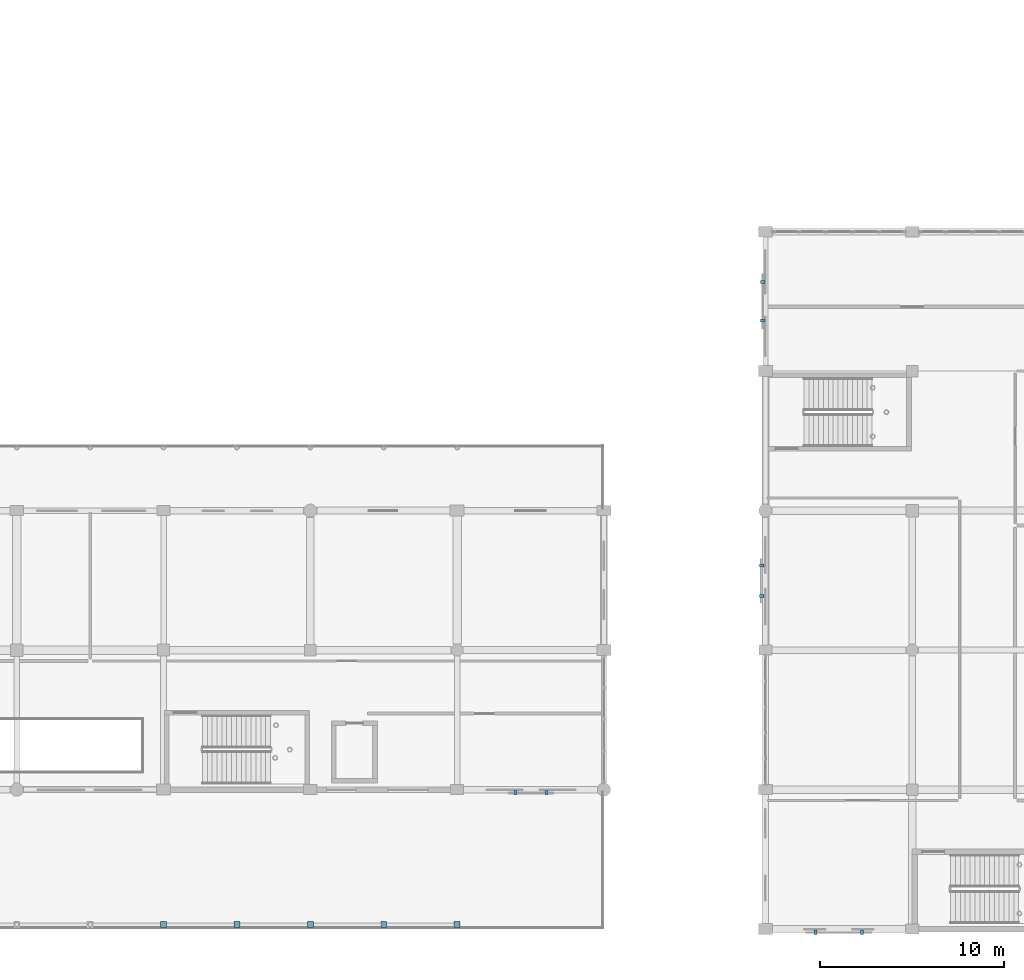
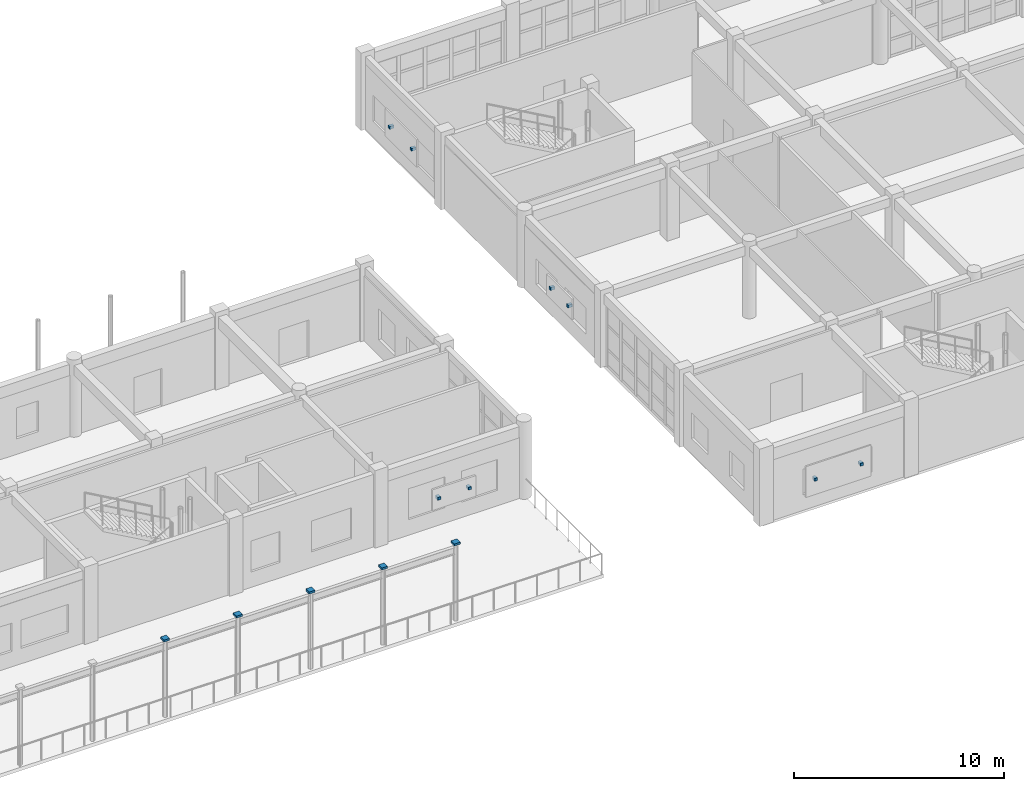
# One storey, part 141 of 160: 13 discrete accessories.
"""IFC4 building model written with IfcOpenShell, lengths in metres."""

from ifc_helpers import new_model, si_unit, direction, frame, origin, origin_2d, place, context, subcontext, project, spatial, rectangle, extrude, material, type_object, element, save


model = new_model("IFC4")

# Units and contexts
model_context = context("Model", 3, precision=1e-05, world=origin(), true_north=direction((0.0, 1.0)))
body_context = subcontext(model_context, "Body", "Model", "MODEL_VIEW")
ifc_project = project(units=[si_unit("LENGTHUNIT", "METRE"), si_unit("AREAUNIT", "SQUARE_METRE"), si_unit("VOLUMEUNIT", "CUBIC_METRE"), si_unit("PLANEANGLEUNIT", "RADIAN"), si_unit("MASSUNIT", "GRAM", prefix="KILO")], contexts=[model_context])

# Site, building, storey
site_placement = place(None, origin())
site = spatial("IfcSite", under=ifc_project, at=site_placement, CompositionType="ELEMENT")
building_placement = place(site_placement, origin())
building = spatial("IfcBuilding", under=site, at=building_placement, Name="Kharva Crest Polytechnic", CompositionType="ELEMENT")
storey_placement = place(building_placement, frame((0.0, 0.0, 4.5)))
storey = spatial("IfcBuildingStorey", under=building, at=storey_placement, Name="L01", CompositionType="ELEMENT", Elevation=4.5)

# Discrete accessories
ifc_material_1 = material(Name="Anodised aluminium", Category="aluminium")
discrete_accessory_type_1 = type_object("IfcDiscreteAccessoryType", Name="ACC-BRK-JAALI", PredefinedType="BRACKET", material=ifc_material_1)
for number, where, z_axis, x_axis, name in (
    (1, (107.186279296875, 7.4423828125, 1.56982421875), (0.0, 0.0, 1.0), (1.0, 0.0, 0.0), "L01 Jaali Screen Bracket 29.1"),
    (2, (108.8662109375, 7.4423828125, 1.56982421875), (0.0, 0.0, 1.0), (1.0, 0.0, 0.0), "L01 Jaali Screen Bracket 29.2"),
    (3, (120.64990234375, 35.262451171875, 1.56982421875), (0.0, 0.0, 1.0), (0.0, 1.0, 0.0), "L01 Jaali Screen Bracket 31.1"),
    (4, (120.64990234375, 33.16259765625, 1.56982421875), (0.0, 0.0, 1.0), (0.0, 1.0, 0.0), "L01 Jaali Screen Bracket 31.2"),
    (5, (120.597412109375, 19.82373046875, 1.56982421875), (0.0, 0.0, 1.0), (0.0, 1.0, 0.0), "L01 Jaali Screen Bracket 32.1"),
    (6, (120.597412109375, 18.143798828125, 1.56982421875), (0.0, 0.0, 1.0), (0.0, 1.0, 0.0), "L01 Jaali Screen Bracket 32.2"),
    (7, (123.5400390625, -0.179931640625, 1.56982421875), (0.0, 0.0, 1.0), (1.0, 0.0, 0.0), "L01 Jaali Screen Bracket 33.1"),
    (8, (126.06005859375, -0.179931640625, 1.56982421875), (0.0, 0.0, 1.0), (1.0, 0.0, 0.0), "L01 Jaali Screen Bracket 33.2"),
):
    element("IfcDiscreteAccessory", number, at=place(storey_placement, frame(where, z_axis=z_axis, x_axis=x_axis)), inside=storey, type_object=discrete_accessory_type_1, Name=name, PredefinedType="BRACKET", context=body_context, shape_type="SweptSolid", body=[
        extrude(rectangle(XDim=0.159912109375, YDim=0.239990234375, at=origin_2d()), origin(), (0.0, 0.0, 1.0), 0.159912109375),
    ])
ifc_material_2 = material(Name="Steel S355", Category="steel")
discrete_accessory_type_2 = type_object("IfcDiscreteAccessoryType", Name="ACC-SHOE-COL320", PredefinedType="SHOE", material=ifc_material_2)
for number, where, z_axis, x_axis, name in (
    (9, (88.0, 0.25, 4.43994140625), (0.0, 0.0, 1.0), (1.0, 0.0, 0.0), "L01 Colonnade Cap Shoe AS04"),
    (10, (96.0, 0.25, 4.43994140625), (0.0, 0.0, 1.0), (1.0, 0.0, 0.0), "L01 Colonnade Cap Shoe AS05"),
    (11, (104.0, 0.25, 4.43994140625), (0.0, 0.0, 1.0), (1.0, 0.0, 0.0), "L01 Colonnade Cap Shoe AS06"),
    (12, (92.0, 0.25, 4.43994140625), (0.0, 0.0, 1.0), (1.0, 0.0, 0.0), "L01 Colonnade Mid Cap Shoe ASM04"),
    (13, (100.0, 0.25, 4.43994140625), (0.0, 0.0, 1.0), (1.0, 0.0, 0.0), "L01 Colonnade Mid Cap Shoe ASM05"),
):
    element("IfcDiscreteAccessory", number, at=place(storey_placement, frame(where, z_axis=z_axis, x_axis=x_axis)), inside=storey, type_object=discrete_accessory_type_2, Name=name, PredefinedType="SHOE", context=body_context, shape_type="SweptSolid", body=[
        extrude(rectangle(XDim=0.320068359375, YDim=0.320068359375, at=origin_2d()), origin(), (0.0, 0.0, 1.0), 0.1201171875),
    ])

save(model, "model.ifc")
